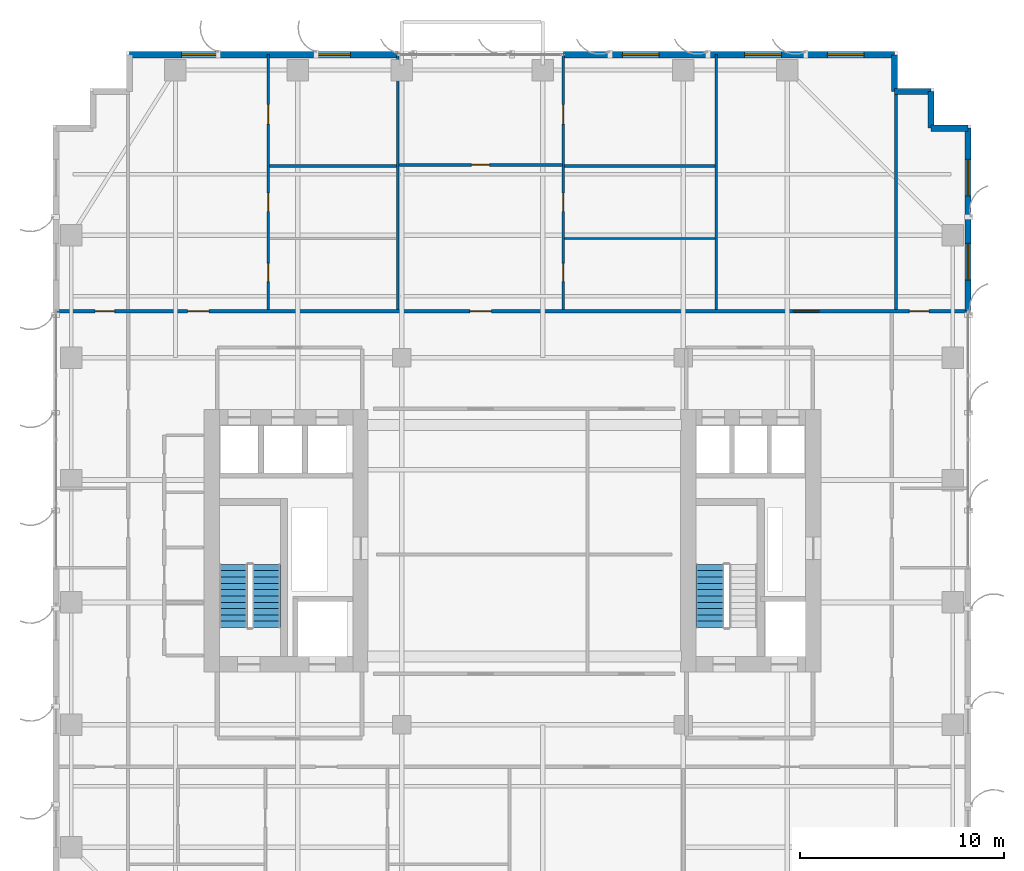
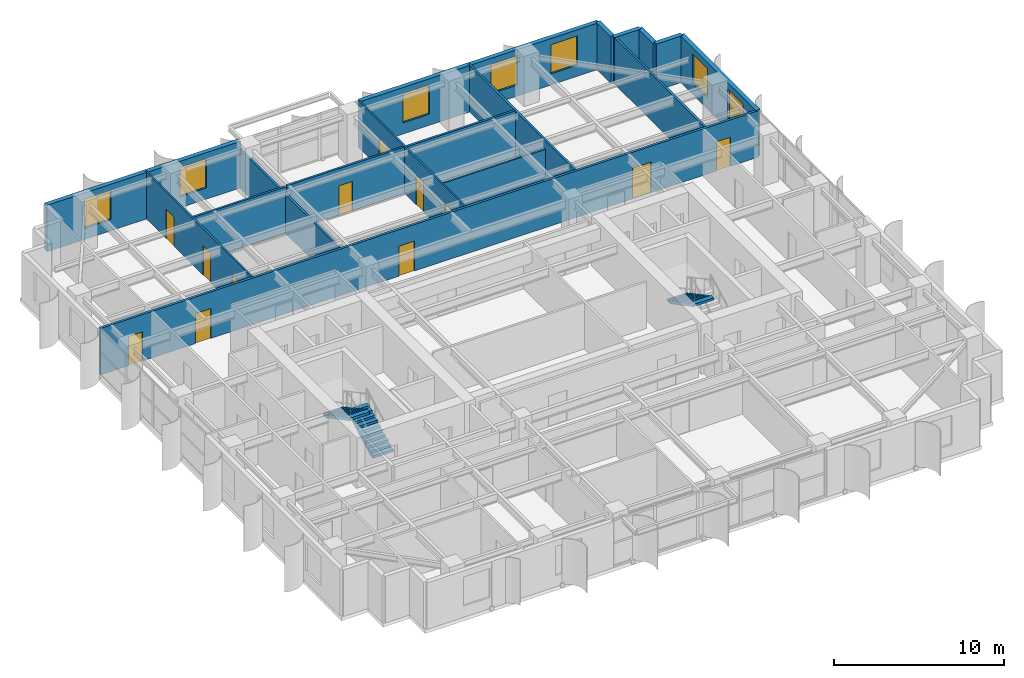
# One storey, part 19 of 23: 17 walls, 12 doors, 7 windows, 3 stair flights, 19 openings, 2 elements without a shape of their own.
"""IFC4 building model written with IfcOpenShell, lengths in metres."""

from ifc_helpers import new_model, si_unit, direction, frame, frame_2d, origin, place, context, subcontext, project, spatial, polyline, rectangle, outline, extrude, source, transform, mapped, material, layer, layer_set, type_object, element, fill, aggregate, save


model = new_model("IFC4")

# Units and contexts
model_context = context("Model", 3, precision=1e-05, world=origin(), true_north=direction((0.0, 1.0)))
body_context = subcontext(model_context, "Body", "Model", "MODEL_VIEW")
ifc_project = project(units=[si_unit("LENGTHUNIT", "METRE"), si_unit("AREAUNIT", "SQUARE_METRE"), si_unit("VOLUMEUNIT", "CUBIC_METRE"), si_unit("PLANEANGLEUNIT", "RADIAN"), si_unit("MASSUNIT", "GRAM", prefix="KILO")], contexts=[model_context])

# Site, building, storey
site_placement = place(None, origin())
site = spatial("IfcSite", under=ifc_project, at=site_placement, CompositionType="ELEMENT")
building_placement = place(site_placement, origin())
building = spatial("IfcBuilding", under=site, at=building_placement, Name="Khoralis Quay Care Tower", CompositionType="ELEMENT")
storey_placement = place(building_placement, frame((0.0, 0.0, 119.699951171875)))
storey = spatial("IfcBuildingStorey", under=building, at=storey_placement, Name="L31", CompositionType="ELEMENT", Elevation=119.699951171875)

# Wall, openings, doors
ifc_material_1 = material(Name="Gypsum plasterboard on acoustic metal stud")
ifc_layer_1 = layer(ifc_material_1, 0.1650390625)
ifc_layer_set_1 = layer_set([ifc_layer_1], Name="Gypsum plasterboard on acoustic metal stud")
wall_type_1 = type_object("IfcWallType", Name="WL-CORR-165", PredefinedType="PARTITIONING", material=ifc_layer_set_1)
wall_1_placement = place(storey_placement, frame((0.14501953125, 32.280029296875, 0.0), z_axis=(0.0, 0.0, 1.0), x_axis=(1.0, 0.0, 0.0)))
wall_1 = element("IfcWall", 1, at=wall_1_placement, inside=storey, type_object=wall_type_1, Name="L31 North Main Corridor Wall", PredefinedType="PARTITIONING", context=body_context, shape_type="SweptSolid", body=[
    extrude(rectangle(XDim=44.7099609375, YDim=0.1650390625, at=frame_2d((22.35498046875, 0.0))), origin(), (0.0, 0.0, 1.0), 3.340087890625),
])
opening_1_placement = place(wall_1_placement, frame((6.447021484375, 0.0, 0.0)))
opening_1 = element("IfcOpeningElement", 2, at=opening_1_placement, cuts=wall_1, Name="Opening UD1", PredefinedType="OPENING", context=body_context, shape_type="SweptSolid", body=[
    extrude(rectangle(XDim=1.050048828125, YDim=2.14990234375, at=frame_2d((0.52490234375, 1.074951171875))), frame((0.0, 0.092529296875, 0.0), z_axis=(0.0, -1.0, 0.0), x_axis=(1.0, 0.0, 0.0)), (0.0, 0.0, 1.0), 0.18505859375),
])
opening_2_placement = place(wall_1_placement, frame((20.28857421875, 0.0, 0.0)))
opening_2 = element("IfcOpeningElement", 3, at=opening_2_placement, cuts=wall_1, Name="Opening UD1", PredefinedType="OPENING", context=body_context, shape_type="SweptSolid", body=[
    extrude(rectangle(XDim=1.050048828125, YDim=2.14990234375, at=frame_2d((0.52490234375, 1.074951171875))), frame((0.0, 0.092529296875, 0.0), z_axis=(0.0, -1.0, 0.0), x_axis=(1.0, 0.0, 0.0)), (0.0, 0.0, 1.0), 0.18505859375),
])
opening_3_placement = place(wall_1_placement, frame((36.14501953125, 0.0, 0.0)))
opening_3 = element("IfcOpeningElement", 4, at=opening_3_placement, cuts=wall_1, Name="Opening CD1", PredefinedType="OPENING", context=body_context, shape_type="SweptSolid", body=[
    extrude(rectangle(XDim=1.25, YDim=2.199951171875, at=frame_2d((0.625, 1.10009765625))), frame((0.0, 0.092529296875, 0.0), z_axis=(0.0, -1.0, 0.0), x_axis=(1.0, 0.0, 0.0)), (0.0, 0.0, 1.0), 0.18505859375),
])
opening_4_placement = place(wall_1_placement, frame((1.919921875, 0.0, 0.0)))
opening_4 = element("IfcOpeningElement", 5, at=opening_4_placement, cuts=wall_1, Name="Opening ID1", PredefinedType="OPENING", context=body_context, shape_type="SweptSolid", body=[
    extrude(rectangle(XDim=0.949951171875, YDim=2.10009765625, at=frame_2d((0.47509765625, 1.050048828125))), frame((0.0, 0.092529296875, 0.0), z_axis=(0.0, -1.0, 0.0), x_axis=(1.0, 0.0, 0.0)), (0.0, 0.0, 1.0), 0.18505859375),
])
opening_5_placement = place(wall_1_placement, frame((41.840087890625, 0.0, 0.0)))
opening_5 = element("IfcOpeningElement", 6, at=opening_5_placement, cuts=wall_1, Name="Opening ID1", PredefinedType="OPENING", context=body_context, shape_type="SweptSolid", body=[
    extrude(rectangle(XDim=0.949951171875, YDim=2.10009765625, at=frame_2d((0.47509765625, 1.050048828125))), frame((0.0, 0.092529296875, 0.0), z_axis=(0.0, -1.0, 0.0), x_axis=(1.0, 0.0, 0.0)), (0.0, 0.0, 1.0), 0.18505859375),
])
ifc_material_2 = material(Name="Acoustic hardwood timber", Category="wood")
door_type_1 = type_object("IfcDoorType", Name="DR-CARE-1250X2200", OperationType="NOTDEFINED", PredefinedType="DOOR", material=ifc_material_2)
shared_shape_1 = source(origin(), body_context, "Body", "SweptSolid", [
    extrude(rectangle(XDim=1.25, YDim=2.199951171875, at=frame_2d((0.625, 1.10009765625))), frame((0.0, 0.02490234375, 0.0), z_axis=(0.0, -1.0, 0.0), x_axis=(1.0, 0.0, 0.0)), (0.0, 0.0, 1.0), 0.050048828125),
])
door_1_placement = place(opening_3_placement, origin())
door_1 = element("IfcDoor", 7, at=door_1_placement, inside=storey, type_object=door_type_1, Name="L31 Physiotherapy Treatment Clinic Door", OperationType="SINGLE_SWING_LEFT", OverallHeight=2.199951171875, OverallWidth=1.25, PredefinedType="DOOR", context=body_context, shape_type="MappedRepresentation", body=[
    mapped(shared_shape_1, transform((0.0, 0.0, 0.0), scale=1.0)),
])
fill(opening_3, door_1)
door_type_2 = type_object("IfcDoorType", Name="DR-ROOM-950X2100", OperationType="NOTDEFINED", PredefinedType="DOOR", material=ifc_material_2)
shared_shape_2 = source(origin(), body_context, "Body", "SweptSolid", [
    extrude(rectangle(XDim=0.949951171875, YDim=2.10009765625, at=frame_2d((0.47509765625, 1.050048828125))), frame((0.0, 0.02490234375, 0.0), z_axis=(0.0, -1.0, 0.0), x_axis=(1.0, 0.0, 0.0)), (0.0, 0.0, 1.0), 0.050048828125),
])
door_2_placement = place(opening_4_placement, origin())
door_2 = element("IfcDoor", 8, at=door_2_placement, inside=storey, type_object=door_type_2, Name="L31 NW Corner Door", OperationType="SINGLE_SWING_RIGHT", OverallHeight=2.10009765625, OverallWidth=0.949951171875, PredefinedType="DOOR", context=body_context, shape_type="MappedRepresentation", body=[
    mapped(shared_shape_2, transform((0.0, 0.0, 0.0), scale=1.0)),
])
fill(opening_4, door_2)
door_3_placement = place(opening_5_placement, origin())
door_3 = element("IfcDoor", 9, at=door_3_placement, inside=storey, type_object=door_type_2, Name="L31 NE Corner Door", OperationType="SINGLE_SWING_LEFT", OverallHeight=2.10009765625, OverallWidth=0.949951171875, PredefinedType="DOOR", context=body_context, shape_type="MappedRepresentation", body=[
    mapped(shared_shape_2, transform((0.0, 0.0, 0.0), scale=1.0)),
])
fill(opening_5, door_3)
door_type_3 = type_object("IfcDoorType", Name="DR-SUITE-1050X2150", OperationType="NOTDEFINED", PredefinedType="DOOR", material=ifc_material_2)
shared_shape_3 = source(origin(), body_context, "Body", "SweptSolid", [
    extrude(rectangle(XDim=1.050048828125, YDim=2.14990234375, at=frame_2d((0.52490234375, 1.074951171875))), frame((0.0, 0.02490234375, 0.0), z_axis=(0.0, -1.0, 0.0), x_axis=(1.0, 0.0, 0.0)), (0.0, 0.0, 1.0), 0.050048828125),
])
door_4_placement = place(opening_1_placement, origin())
door_4 = element("IfcDoor", 10, at=door_4_placement, inside=storey, type_object=door_type_3, Name="L31 Apartment NB0 Entrance Door", OperationType="SINGLE_SWING_LEFT", OverallHeight=2.14990234375, OverallWidth=1.050048828125, PredefinedType="DOOR", context=body_context, shape_type="MappedRepresentation", body=[
    mapped(shared_shape_3, transform((0.0, 0.0, 0.0), scale=1.0)),
])
fill(opening_1, door_4)
door_5_placement = place(opening_2_placement, origin())
door_5 = element("IfcDoor", 11, at=door_5_placement, inside=storey, type_object=door_type_3, Name="L31 Apartment NB1 Entrance Door", OperationType="SINGLE_SWING_RIGHT", OverallHeight=2.14990234375, OverallWidth=1.050048828125, PredefinedType="DOOR", context=body_context, shape_type="MappedRepresentation", body=[
    mapped(shared_shape_3, transform((0.0, 0.0, 0.0), scale=1.0)),
])
fill(opening_2, door_5)

# Wall, openings, windows
ifc_material_3 = material(Name="Precast concrete C45/55", Category="concrete")
ifc_layer_2 = layer(ifc_material_3, 0.300048828125)
ifc_layer_set_2 = layer_set([ifc_layer_2], Name="Precast concrete C45/55")
wall_type_2 = type_object("IfcWallType", Name="WL-EXT-REF-300", PredefinedType="SOLIDWALL", material=ifc_layer_set_2)
wall_2_placement = place(storey_placement, frame((44.85009765625, 32.280029296875, 0.0), z_axis=(0.0, 0.0, 1.0), x_axis=(0.0, 1.0, 0.0)))
wall_2 = element("IfcWall", 12, at=wall_2_placement, inside=storey, type_object=wall_type_2, Name="L31 External Facade Wall WL-EXT-L31-P1-E5B", PredefinedType="SOLIDWALL", context=body_context, shape_type="SweptSolid", body=[
    extrude(rectangle(XDim=8.969970703125, YDim=0.300048828125, at=frame_2d((4.48486328125, 0.0))), origin(), (0.0, 0.0, 1.0), 3.340087890625),
])
opening_6_placement = place(wall_2_placement, frame((1.5224609375, 0.0, 0.800048828125)))
opening_6 = element("IfcOpeningElement", 13, at=opening_6_placement, cuts=wall_2, Name="Opening W2", PredefinedType="OPENING", context=body_context, shape_type="SweptSolid", body=[
    extrude(rectangle(XDim=1.800048828125, YDim=2.10009765625, at=frame_2d((0.89990234375, 1.050048828125))), frame((0.0, 0.16015625, 0.0), z_axis=(0.0, -1.0, 0.0), x_axis=(1.0, 0.0, 0.0)), (0.0, 0.0, 1.0), 0.320068359375),
])
opening_7_placement = place(wall_2_placement, frame((5.6474609375, 0.0, 0.800048828125)))
opening_7 = element("IfcOpeningElement", 14, at=opening_7_placement, cuts=wall_2, Name="Opening W2", PredefinedType="OPENING", context=body_context, shape_type="SweptSolid", body=[
    extrude(rectangle(XDim=1.800048828125, YDim=2.10009765625, at=frame_2d((0.89990234375, 1.050048828125))), frame((0.0, 0.16015625, 0.0), z_axis=(0.0, -1.0, 0.0), x_axis=(1.0, 0.0, 0.0)), (0.0, 0.0, 1.0), 0.320068359375),
])
ifc_material_4 = material(Name="Low-E solar-control double glazing", Category="glass")
window_type = type_object("IfcWindowType", Name="WN-POD-1800X2100", PartitioningType="SINGLE_PANEL", PredefinedType="WINDOW", material=ifc_material_4)
shared_shape_4 = source(origin(), body_context, "Body", "SweptSolid", [
    extrude(rectangle(XDim=1.800048828125, YDim=2.10009765625, at=frame_2d((0.89990234375, 1.050048828125))), frame((0.0, 0.030029296875, 0.0), z_axis=(0.0, -1.0, 0.0), x_axis=(1.0, 0.0, 0.0)), (0.0, 0.0, 1.0), 0.06005859375),
])
window_1_placement = place(opening_6_placement, origin())
window_1 = element("IfcWindow", 15, at=window_1_placement, inside=storey, type_object=window_type, Name="WN-L31-P1-E5B Facade Window 01", OverallHeight=2.10009765625, OverallWidth=1.800048828125, PartitioningType="SINGLE_PANEL", PredefinedType="WINDOW", context=body_context, shape_type="MappedRepresentation", body=[
    mapped(shared_shape_4, transform((0.0, 0.0, 0.0), scale=1.0)),
])
fill(opening_6, window_1)
window_2_placement = place(opening_7_placement, origin())
window_2 = element("IfcWindow", 16, at=window_2_placement, inside=storey, type_object=window_type, Name="WN-L31-P1-E5B Facade Window 02", OverallHeight=2.10009765625, OverallWidth=1.800048828125, PartitioningType="SINGLE_PANEL", PredefinedType="WINDOW", context=body_context, shape_type="MappedRepresentation", body=[
    mapped(shared_shape_4, transform((0.0, 0.0, 0.0), scale=1.0)),
])
fill(opening_7, window_2)

# Walls
for number, where, z_axis, x_axis, name in (
    (17, (44.85009765625, 41.25, 0.0), (0.0, 0.0, 1.0), (-1.0, 0.0, 0.0), "L31 External Facade Wall WL-EXT-L31-P1-C6"),
    (18, (43.050048828125, 41.25, 0.0), (0.0, 0.0, 1.0), (0.0, 1.0, 0.0), "L31 External Facade Wall WL-EXT-L31-P1-C7"),
    (19, (43.050048828125, 43.050048828125, 0.0), (0.0, 0.0, 1.0), (-1.0, 0.0, 0.0), "L31 External Facade Wall WL-EXT-L31-P1-C8"),
    (20, (41.25, 43.050048828125, 0.0), (0.0, 0.0, 1.0), (0.0, 1.0, 0.0), "L31 External Facade Wall WL-EXT-L31-P1-C9"),
):
    element("IfcWall", number, at=place(storey_placement, frame(where, z_axis=z_axis, x_axis=x_axis)), inside=storey, type_object=wall_type_2, Name=name, PredefinedType="SOLIDWALL", context=body_context, shape_type="SweptSolid", body=[
        extrude(rectangle(XDim=1.800048828125, YDim=0.300048828125, at=frame_2d((0.89990234375, 0.0))), origin(), (0.0, 0.0, 1.0), 3.340087890625),
    ])

# Wall, openings, windows
wall_3_placement = place(storey_placement, frame((41.25, 44.85009765625, 0.0), z_axis=(0.0, 0.0, 1.0), x_axis=(-1.0, 0.0, 0.0)))
wall_3 = element("IfcWall", 21, at=wall_3_placement, inside=storey, type_object=wall_type_2, Name="L31 External Facade Wall WL-EXT-L31-P1-E10A", PredefinedType="SOLIDWALL", context=body_context, shape_type="SweptSolid", body=[
    extrude(rectangle(XDim=16.23291015625, YDim=0.300048828125, at=frame_2d((8.116455078125, 0.0))), origin(), (0.0, 0.0, 1.0), 3.340087890625),
])
opening_8_placement = place(wall_3_placement, frame((1.489990234375, 0.0, 0.800048828125)))
opening_8 = element("IfcOpeningElement", 22, at=opening_8_placement, cuts=wall_3, Name="Opening W2", PredefinedType="OPENING", context=body_context, shape_type="SweptSolid", body=[
    extrude(rectangle(XDim=1.800048828125, YDim=2.10009765625, at=frame_2d((0.89990234375, 1.050048828125))), frame((0.0, 0.16015625, 0.0), z_axis=(0.0, -1.0, 0.0), x_axis=(1.0, 0.0, 0.0)), (0.0, 0.0, 1.0), 0.320068359375),
])
opening_9_placement = place(wall_3_placement, frame((5.550048828125, 0.0, 0.800048828125)))
opening_9 = element("IfcOpeningElement", 23, at=opening_9_placement, cuts=wall_3, Name="Opening W2", PredefinedType="OPENING", context=body_context, shape_type="SweptSolid", body=[
    extrude(rectangle(XDim=1.800048828125, YDim=2.10009765625, at=frame_2d((0.89990234375, 1.050048828125))), frame((0.0, 0.16015625, 0.0), z_axis=(0.0, -1.0, 0.0), x_axis=(1.0, 0.0, 0.0)), (0.0, 0.0, 1.0), 0.320068359375),
])
opening_10_placement = place(wall_3_placement, frame((11.53662109375, 0.0, 0.800048828125)))
opening_10 = element("IfcOpeningElement", 24, at=opening_10_placement, cuts=wall_3, Name="Opening W2", PredefinedType="OPENING", context=body_context, shape_type="SweptSolid", body=[
    extrude(rectangle(XDim=1.800048828125, YDim=2.10009765625, at=frame_2d((0.89990234375, 1.050048828125))), frame((0.0, 0.16015625, 0.0), z_axis=(0.0, -1.0, 0.0), x_axis=(1.0, 0.0, 0.0)), (0.0, 0.0, 1.0), 0.320068359375),
])
window_3_placement = place(opening_8_placement, origin())
window_3 = element("IfcWindow", 25, at=window_3_placement, inside=storey, type_object=window_type, Name="WN-L31-P1-E10A Facade Window 01", OverallHeight=2.10009765625, OverallWidth=1.800048828125, PartitioningType="SINGLE_PANEL", PredefinedType="WINDOW", context=body_context, shape_type="MappedRepresentation", body=[
    mapped(shared_shape_4, transform((0.0, 0.0, 0.0), scale=1.0)),
])
fill(opening_8, window_3)
window_4_placement = place(opening_9_placement, origin())
window_4 = element("IfcWindow", 26, at=window_4_placement, inside=storey, type_object=window_type, Name="WN-L31-P1-E10A Facade Window 02", OverallHeight=2.10009765625, OverallWidth=1.800048828125, PartitioningType="SINGLE_PANEL", PredefinedType="WINDOW", context=body_context, shape_type="MappedRepresentation", body=[
    mapped(shared_shape_4, transform((0.0, 0.0, 0.0), scale=1.0)),
])
fill(opening_9, window_4)
window_5_placement = place(opening_10_placement, origin())
window_5 = element("IfcWindow", 27, at=window_5_placement, inside=storey, type_object=window_type, Name="WN-L31-P1-E10A Facade Window 03", OverallHeight=2.10009765625, OverallWidth=1.800048828125, PartitioningType="SINGLE_PANEL", PredefinedType="WINDOW", context=body_context, shape_type="MappedRepresentation", body=[
    mapped(shared_shape_4, transform((0.0, 0.0, 0.0), scale=1.0)),
])
fill(opening_10, window_5)

wall_4_placement = place(storey_placement, frame((16.89990234375, 44.85009765625, 0.0), z_axis=(0.0, 0.0, 1.0), x_axis=(-1.0, 0.0, 0.0)))
wall_4 = element("IfcWall", 28, at=wall_4_placement, inside=storey, type_object=wall_type_2, Name="L31 External Facade Wall WL-EXT-L31-P1-E10B", PredefinedType="SOLIDWALL", context=body_context, shape_type="SweptSolid", body=[
    extrude(rectangle(XDim=13.14990234375, YDim=0.300048828125, at=frame_2d((6.574951171875, 0.0))), origin(), (0.0, 0.0, 1.0), 3.340087890625),
])
opening_11_placement = place(wall_4_placement, frame((2.322998046875, 0.0, 0.800048828125)))
opening_11 = element("IfcOpeningElement", 29, at=opening_11_placement, cuts=wall_4, Name="Opening W2", PredefinedType="OPENING", context=body_context, shape_type="SweptSolid", body=[
    extrude(rectangle(XDim=1.800048828125, YDim=2.10009765625, at=frame_2d((0.89990234375, 1.050048828125))), frame((0.0, 0.16015625, 0.0), z_axis=(0.0, -1.0, 0.0), x_axis=(1.0, 0.0, 0.0)), (0.0, 0.0, 1.0), 0.320068359375),
])
opening_12_placement = place(wall_4_placement, frame((8.798095703125, 0.0, 0.800048828125)))
opening_12 = element("IfcOpeningElement", 30, at=opening_12_placement, cuts=wall_4, Name="Opening W2", PredefinedType="OPENING", context=body_context, shape_type="SweptSolid", body=[
    extrude(rectangle(XDim=1.800048828125, YDim=2.10009765625, at=frame_2d((0.89990234375, 1.050048828125))), frame((0.0, 0.16015625, 0.0), z_axis=(0.0, -1.0, 0.0), x_axis=(1.0, 0.0, 0.0)), (0.0, 0.0, 1.0), 0.320068359375),
])
window_6_placement = place(opening_11_placement, origin())
window_6 = element("IfcWindow", 31, at=window_6_placement, inside=storey, type_object=window_type, Name="WN-L31-P1-E10B Facade Window 01", OverallHeight=2.10009765625, OverallWidth=1.800048828125, PartitioningType="SINGLE_PANEL", PredefinedType="WINDOW", context=body_context, shape_type="MappedRepresentation", body=[
    mapped(shared_shape_4, transform((0.0, 0.0, 0.0), scale=1.0)),
])
fill(opening_11, window_6)
window_7_placement = place(opening_12_placement, origin())
window_7 = element("IfcWindow", 32, at=window_7_placement, inside=storey, type_object=window_type, Name="WN-L31-P1-E10B Facade Window 02", OverallHeight=2.10009765625, OverallWidth=1.800048828125, PartitioningType="SINGLE_PANEL", PredefinedType="WINDOW", context=body_context, shape_type="MappedRepresentation", body=[
    mapped(shared_shape_4, transform((0.0, 0.0, 0.0), scale=1.0)),
])
fill(opening_12, window_7)

# Wall, openings, doors
ifc_layer_3 = layer(ifc_material_1, 0.114990234375)
ifc_layer_set_3 = layer_set([ifc_layer_3], Name="Gypsum plasterboard on acoustic metal stud")
wall_type_3 = type_object("IfcWallType", Name="WL-PART-115", PredefinedType="PARTITIONING", material=ifc_layer_set_3)
wall_5_placement = place(storey_placement, frame((10.553955078125, 32.357421875, 0.0), z_axis=(0.0, 0.0, 1.0), x_axis=(0.0, 1.0, 0.0)))
wall_5 = element("IfcWall", 33, at=wall_5_placement, inside=storey, type_object=wall_type_3, Name="L31 Unit 0 Internal Wall", PredefinedType="PARTITIONING", context=body_context, shape_type="SweptSolid", body=[
    extrude(rectangle(XDim=12.49755859375, YDim=0.114990234375, at=frame_2d((6.248779296875, 0.0))), origin(), (0.0, 0.0, 1.0), 3.340087890625),
])
opening_13_placement = place(wall_5_placement, frame((9.093994140625, 0.0, 0.0)))
opening_13 = element("IfcOpeningElement", 34, at=opening_13_placement, cuts=wall_5, Name="Opening ID1", PredefinedType="OPENING", context=body_context, shape_type="SweptSolid", body=[
    extrude(rectangle(XDim=0.949951171875, YDim=2.10009765625, at=frame_2d((0.47509765625, 1.050048828125))), frame((0.0, 0.0673828125, 0.0), z_axis=(0.0, -1.0, 0.0), x_axis=(1.0, 0.0, 0.0)), (0.0, 0.0, 1.0), 0.135009765625),
])
opening_14_placement = place(wall_5_placement, frame((4.814453125, 0.0, 0.0)))
opening_14 = element("IfcOpeningElement", 35, at=opening_14_placement, cuts=wall_5, Name="Opening WD1", PredefinedType="OPENING", context=body_context, shape_type="SweptSolid", body=[
    extrude(rectangle(XDim=0.89990234375, YDim=2.10009765625, at=frame_2d((0.449951171875, 1.050048828125))), frame((0.0, 0.0673828125, 0.0), z_axis=(0.0, -1.0, 0.0), x_axis=(1.0, 0.0, 0.0)), (0.0, 0.0, 1.0), 0.135009765625),
])
opening_15_placement = place(wall_5_placement, frame((1.367919921875, 0.0, 0.0)))
opening_15 = element("IfcOpeningElement", 36, at=opening_15_placement, cuts=wall_5, Name="Opening WD1", PredefinedType="OPENING", context=body_context, shape_type="SweptSolid", body=[
    extrude(rectangle(XDim=0.89990234375, YDim=2.10009765625, at=frame_2d((0.449951171875, 1.050048828125))), frame((0.0, 0.0673828125, 0.0), z_axis=(0.0, -1.0, 0.0), x_axis=(1.0, 0.0, 0.0)), (0.0, 0.0, 1.0), 0.135009765625),
])
door_type_4 = type_object("IfcDoorType", Name="DR-BATH-900X2100", OperationType="NOTDEFINED", PredefinedType="DOOR", material=ifc_material_2)
shared_shape_5 = source(origin(), body_context, "Body", "SweptSolid", [
    extrude(rectangle(XDim=0.89990234375, YDim=2.10009765625, at=frame_2d((0.449951171875, 1.050048828125))), frame((0.0, 0.02490234375, 0.0), z_axis=(0.0, -1.0, 0.0), x_axis=(1.0, 0.0, 0.0)), (0.0, 0.0, 1.0), 0.050048828125),
])
door_6_placement = place(opening_14_placement, frame((0.89990234375, 0.0, 0.0), z_axis=(0.0, 0.0, 1.0), x_axis=(-1.0, 0.0, 0.0)))
door_6 = element("IfcDoor", 37, at=door_6_placement, inside=storey, type_object=door_type_4, Name="L31 Apartment NB0 KIT Door", OperationType="SINGLE_SWING_LEFT", OverallHeight=2.10009765625, OverallWidth=0.89990234375, PredefinedType="DOOR", context=body_context, shape_type="MappedRepresentation", body=[
    mapped(shared_shape_5, transform((0.0, 0.0, 0.0), scale=1.0)),
])
fill(opening_14, door_6)
door_7_placement = place(opening_15_placement, frame((0.89990234375, 0.0, 0.0), z_axis=(0.0, 0.0, 1.0), x_axis=(-1.0, 0.0, 0.0)))
door_7 = element("IfcDoor", 38, at=door_7_placement, inside=storey, type_object=door_type_4, Name="L31 Apartment NB0 BTH Door", OperationType="SINGLE_SWING_RIGHT", OverallHeight=2.10009765625, OverallWidth=0.89990234375, PredefinedType="DOOR", context=body_context, shape_type="MappedRepresentation", body=[
    mapped(shared_shape_5, transform((0.0, 0.0, 0.0), scale=1.0)),
])
fill(opening_15, door_7)
door_8_placement = place(opening_13_placement, frame((0.949951171875, 0.0, 0.0), z_axis=(0.0, 0.0, 1.0), x_axis=(-1.0, 0.0, 0.0)))
door_8 = element("IfcDoor", 39, at=door_8_placement, inside=storey, type_object=door_type_2, Name="L31 Apartment NB0 BED Door", OperationType="SINGLE_SWING_RIGHT", OverallHeight=2.10009765625, OverallWidth=0.949951171875, PredefinedType="DOOR", context=body_context, shape_type="MappedRepresentation", body=[
    mapped(shared_shape_2, transform((0.0, 0.0, 0.0), scale=1.0)),
])
fill(opening_13, door_8)

wall_6_placement = place(storey_placement, frame((25.01708984375, 32.357421875, 0.0), z_axis=(0.0, 0.0, 1.0), x_axis=(0.0, 1.0, 0.0)))
wall_6 = element("IfcWall", 40, at=wall_6_placement, inside=storey, type_object=wall_type_3, Name="L31 Unit 1 Internal Wall", PredefinedType="PARTITIONING", context=body_context, shape_type="SweptSolid", body=[
    extrude(rectangle(XDim=12.49755859375, YDim=0.114990234375, at=frame_2d((6.248779296875, 0.0))), origin(), (0.0, 0.0, 1.0), 3.340087890625),
])
opening_16_placement = place(wall_6_placement, frame((9.093994140625, 0.0, 0.0)))
opening_16 = element("IfcOpeningElement", 41, at=opening_16_placement, cuts=wall_6, Name="Opening ID1", PredefinedType="OPENING", context=body_context, shape_type="SweptSolid", body=[
    extrude(rectangle(XDim=0.949951171875, YDim=2.10009765625, at=frame_2d((0.47509765625, 1.050048828125))), frame((0.0, 0.0673828125, 0.0), z_axis=(0.0, -1.0, 0.0), x_axis=(1.0, 0.0, 0.0)), (0.0, 0.0, 1.0), 0.135009765625),
])
opening_17_placement = place(wall_6_placement, frame((4.814453125, 0.0, 0.0)))
opening_17 = element("IfcOpeningElement", 42, at=opening_17_placement, cuts=wall_6, Name="Opening WD1", PredefinedType="OPENING", context=body_context, shape_type="SweptSolid", body=[
    extrude(rectangle(XDim=0.89990234375, YDim=2.10009765625, at=frame_2d((0.449951171875, 1.050048828125))), frame((0.0, 0.0673828125, 0.0), z_axis=(0.0, -1.0, 0.0), x_axis=(1.0, 0.0, 0.0)), (0.0, 0.0, 1.0), 0.135009765625),
])
opening_18_placement = place(wall_6_placement, frame((1.367919921875, 0.0, 0.0)))
opening_18 = element("IfcOpeningElement", 43, at=opening_18_placement, cuts=wall_6, Name="Opening WD1", PredefinedType="OPENING", context=body_context, shape_type="SweptSolid", body=[
    extrude(rectangle(XDim=0.89990234375, YDim=2.10009765625, at=frame_2d((0.449951171875, 1.050048828125))), frame((0.0, 0.0673828125, 0.0), z_axis=(0.0, -1.0, 0.0), x_axis=(1.0, 0.0, 0.0)), (0.0, 0.0, 1.0), 0.135009765625),
])
door_9_placement = place(opening_17_placement, frame((0.89990234375, 0.0, 0.0), z_axis=(0.0, 0.0, 1.0), x_axis=(-1.0, 0.0, 0.0)))
door_9 = element("IfcDoor", 44, at=door_9_placement, inside=storey, type_object=door_type_4, Name="L31 Apartment NB1 KIT Door", OperationType="SINGLE_SWING_RIGHT", OverallHeight=2.10009765625, OverallWidth=0.89990234375, PredefinedType="DOOR", context=body_context, shape_type="MappedRepresentation", body=[
    mapped(shared_shape_5, transform((0.0, 0.0, 0.0), scale=1.0)),
])
fill(opening_17, door_9)
door_10_placement = place(opening_18_placement, frame((0.89990234375, 0.0, 0.0), z_axis=(0.0, 0.0, 1.0), x_axis=(-1.0, 0.0, 0.0)))
door_10 = element("IfcDoor", 45, at=door_10_placement, inside=storey, type_object=door_type_4, Name="L31 Apartment NB1 BTH Door", OperationType="SINGLE_SWING_LEFT", OverallHeight=2.10009765625, OverallWidth=0.89990234375, PredefinedType="DOOR", context=body_context, shape_type="MappedRepresentation", body=[
    mapped(shared_shape_5, transform((0.0, 0.0, 0.0), scale=1.0)),
])
fill(opening_18, door_10)
door_11_placement = place(opening_16_placement, frame((0.949951171875, 0.0, 0.0), z_axis=(0.0, 0.0, 1.0), x_axis=(-1.0, 0.0, 0.0)))
door_11 = element("IfcDoor", 46, at=door_11_placement, inside=storey, type_object=door_type_2, Name="L31 Apartment NB1 BED Door", OperationType="SINGLE_SWING_LEFT", OverallHeight=2.10009765625, OverallWidth=0.949951171875, PredefinedType="DOOR", context=body_context, shape_type="MappedRepresentation", body=[
    mapped(shared_shape_2, transform((0.0, 0.0, 0.0), scale=1.0)),
])
fill(opening_16, door_11)

# Walls
wall_7_placement = place(storey_placement, frame((25.069580078125, 35.841064453125, 0.0), z_axis=(0.0, 0.0, 1.0), x_axis=(1.0, 0.0, 0.0)))
element("IfcWall", 47, at=wall_7_placement, inside=storey, type_object=wall_type_3, Name="L31 Unit 1 Kitchen Wall", PredefinedType="PARTITIONING", context=body_context, shape_type="SweptSolid", body=[
    extrude(rectangle(XDim=7.37548828125, YDim=0.114990234375, at=frame_2d((3.687744140625, 0.0))), origin(), (0.0, 0.0, 1.0), 2.72314453125),
])
ifc_material_5 = material(Name="Moisture-resistant gypsum and ceramic tile")
ifc_layer_4 = layer(ifc_material_5, 0.280029296875)
ifc_layer_set_4 = layer_set([ifc_layer_4], Name="Moisture-resistant gypsum and ceramic tile")
wall_type_4 = type_object("IfcWallType", Name="WL-PLUMB-280", PredefinedType="PLUMBINGWALL", material=ifc_layer_set_4)
wall_8_placement = place(storey_placement, frame((10.6064453125, 39.403076171875, 0.0), z_axis=(0.0, 0.0, 1.0), x_axis=(1.0, 0.0, 0.0)))
element("IfcWall", 48, at=wall_8_placement, inside=storey, type_object=wall_type_4, Name="L31 Unit 0 Wet Wall", PredefinedType="PLUMBINGWALL", context=body_context, shape_type="SweptSolid", body=[
    extrude(rectangle(XDim=6.228515625, YDim=0.139892578125, at=frame_2d((3.1142578125, 0.0))), origin(), (0.0, 0.0, 1.0), 3.340087890625),
])
wall_9_placement = place(storey_placement, frame((25.069580078125, 39.403076171875, 0.0), z_axis=(0.0, 0.0, 1.0), x_axis=(1.0, 0.0, 0.0)))
element("IfcWall", 49, at=wall_9_placement, inside=storey, type_object=wall_type_4, Name="L31 Unit 1 Wet Wall", PredefinedType="PLUMBINGWALL", context=body_context, shape_type="SweptSolid", body=[
    extrude(rectangle(XDim=7.37548828125, YDim=0.139892578125, at=frame_2d((3.687744140625, 0.0))), origin(), (0.0, 0.0, 1.0), 3.340087890625),
])
ifc_layer_5 = layer(ifc_material_1, 0.139892578125)
ifc_layer_set_5 = layer_set([ifc_layer_5], Name="Gypsum plasterboard on acoustic metal stud")
wall_type_5 = type_object("IfcWallType", Name="WL-UNIT-140", PredefinedType="PARTITIONING", material=ifc_layer_set_5)
wall_10_placement = place(storey_placement, frame((16.89990234375, 32.357421875, 0.0), z_axis=(0.0, 0.0, 1.0), x_axis=(0.0, 1.0, 0.0)))
element("IfcWall", 50, at=wall_10_placement, inside=storey, type_object=wall_type_5, Name="L31 NB Demising Wall 1", PredefinedType="PARTITIONING", context=body_context, shape_type="SweptSolid", body=[
    extrude(rectangle(XDim=12.49755859375, YDim=0.139892578125, at=frame_2d((6.248779296875, 0.0))), origin(), (0.0, 0.0, 1.0), 2.796142578125),
])
wall_11_placement = place(storey_placement, frame((32.510009765625, 32.357421875, 0.0), z_axis=(0.0, 0.0, 1.0), x_axis=(0.0, 1.0, 0.0)))
element("IfcWall", 51, at=wall_11_placement, inside=storey, type_object=wall_type_5, Name="L31 NB Demising Wall 2", PredefinedType="PARTITIONING", context=body_context, shape_type="SweptSolid", body=[
    extrude(rectangle(XDim=12.49755859375, YDim=0.139892578125, at=frame_2d((6.248779296875, 0.0))), origin(), (0.0, 0.0, 1.0), 3.340087890625),
])
wall_12_placement = place(storey_placement, frame((41.320068359375, 32.357421875, 0.0), z_axis=(0.0, 0.0, 1.0), x_axis=(0.0, 1.0, 0.0)))
element("IfcWall", 52, at=wall_12_placement, inside=storey, type_object=wall_type_5, Name="L31 NB Demising Wall 3", PredefinedType="PARTITIONING", context=body_context, shape_type="SweptSolid", body=[
    extrude(rectangle(XDim=10.697509765625, YDim=0.139892578125, at=frame_2d((5.3486328125, 0.0))), origin(), (0.0, 0.0, 1.0), 3.340087890625),
])

# Wall, opening, door
wall_13_placement = place(storey_placement, frame((16.965087890625, 39.449951171875, 0.0), z_axis=(0.0, 0.0, 1.0), x_axis=(1.0, 0.0, 0.0)))
wall_13 = element("IfcWall", 53, at=wall_13_placement, inside=storey, type_object=wall_type_5, Name="Assisted Apartment Living Room L31-NB1 Sub-Partition", PredefinedType="PARTITIONING", context=body_context, shape_type="SweptSolid", body=[
    extrude(rectangle(XDim=7.99951171875, YDim=0.139892578125, at=frame_2d((3.999755859375, 0.0))), origin(), (0.0, 0.0, 1.0), 3.340087890625),
])
opening_19_placement = place(wall_13_placement, frame((3.54345703125, 0.0, 0.0)))
opening_19 = element("IfcOpeningElement", 54, at=opening_19_placement, cuts=wall_13, Name="Opening WD1", PredefinedType="OPENING", context=body_context, shape_type="SweptSolid", body=[
    extrude(rectangle(XDim=0.89990234375, YDim=2.10009765625, at=frame_2d((0.449951171875, 1.050048828125))), frame((0.0, 0.080078125, 0.0), z_axis=(0.0, -1.0, 0.0), x_axis=(1.0, 0.0, 0.0)), (0.0, 0.0, 1.0), 0.159912109375),
])
door_12_placement = place(opening_19_placement, frame((0.89990234375, 0.0, 0.0), z_axis=(0.0, 0.0, 1.0), x_axis=(-1.0, 0.0, 0.0)))
door_12 = element("IfcDoor", 55, at=door_12_placement, inside=storey, type_object=door_type_4, Name="Daylight Sunroom Lounge LIV1 Door", OperationType="SINGLE_SWING_LEFT", OverallHeight=2.10009765625, OverallWidth=0.89990234375, PredefinedType="DOOR", context=body_context, shape_type="MappedRepresentation", body=[
    mapped(shared_shape_5, transform((0.0, 0.0, 0.0), scale=1.0)),
])
fill(opening_19, door_12)

# Stair, stair flights
stair_type = type_object("IfcStairType", Name="ST-TWR-DOGLEG-1400", PredefinedType="HALF_TURN_STAIR", material=ifc_material_3)
stair_1_placement = place(storey_placement, origin())
stair_1 = element("IfcStair", 56, at=stair_1_placement, inside=storey, type_object=stair_type, Name="L31 West Core Exit Stair ST-T1", PredefinedType="HALF_TURN_STAIR")
stair_flight_type = type_object("IfcStairFlightType", Name="SF-TWR-1400", PredefinedType="STRAIGHT", material=ifc_material_3)
shared_shape_6 = source(origin(), body_context, "Body", "SweptSolid", [
    extrude(outline(polyline([(0.0, 0.0), (0.0, 0.16357421875), (0.31005859375, 0.16357421875), (0.31005859375, 0.327392578125), (0.6201171875, 0.327392578125), (0.6201171875, 0.490966796875), (0.929931640625, 0.490966796875), (0.929931640625, 0.654541015625), (1.239990234375, 0.654541015625), (1.239990234375, 0.818115234375), (1.550048828125, 0.818115234375), (1.550048828125, 0.98193359375), (1.860107421875, 0.98193359375), (1.860107421875, 1.1455078125), (2.169921875, 1.1455078125), (2.169921875, 1.30908203125), (2.47998046875, 1.30908203125), (2.47998046875, 1.47265625), (2.7900390625, 1.47265625), (2.7900390625, 1.636474609375), (3.10009765625, 1.636474609375), (3.10009765625, 1.800048828125), (3.10009765625, 1.466796875), (0.321044921875, 0.0), (0.0, 0.0)])), frame((0.0, 0.68994140625, 0.0), z_axis=(0.0, -1.0, 0.0), x_axis=(1.0, 0.0, 0.0)), (0.0, 0.0, 1.0), 1.3798828125),
])
stair_flight_1_placement = place(storey_placement, frame((10.4599609375, 16.77001953125, 0.0), z_axis=(0.0, 0.0, 1.0), x_axis=(0.0, 1.0, 0.0)))
stair_flight_1 = element("IfcStairFlight", 57, at=stair_flight_1_placement, type_object=stair_flight_type, Name="ST-T1 flight 1", NumberOfRisers=11, NumberOfTreads=10, PredefinedType="STRAIGHT", RiserHeight=0.163636364, TreadLength=0.31, context=body_context, shape_type="MappedRepresentation", body=[
    mapped(shared_shape_6, transform((0.0, 0.0, 0.0), scale=1.0)),
])
stair_flight_2_placement = place(storey_placement, frame((8.840087890625, 19.8701171875, 1.800048828125), z_axis=(0.0, 0.0, 1.0), x_axis=(0.0, -1.0, 0.0)))
stair_flight_2 = element("IfcStairFlight", 58, at=stair_flight_2_placement, type_object=stair_flight_type, Name="ST-T1 flight 2", NumberOfRisers=11, NumberOfTreads=10, PredefinedType="STRAIGHT", RiserHeight=0.163636364, TreadLength=0.31, context=body_context, shape_type="MappedRepresentation", body=[
    mapped(shared_shape_6, transform((0.0, 0.0, 0.0), scale=1.0)),
])
aggregate(stair_1, [stair_flight_1, stair_flight_2])

# Stair, stair flight
stair_2_placement = place(storey_placement, origin())
stair_2 = element("IfcStair", 59, at=stair_2_placement, inside=storey, type_object=stair_type, Name="L31 East Core Exit Stair ST-T2", PredefinedType="HALF_TURN_STAIR")
stair_flight_3_placement = place(storey_placement, frame((32.2099609375, 19.8701171875, 1.800048828125), z_axis=(0.0, 0.0, 1.0), x_axis=(0.0, -1.0, 0.0)))
stair_flight_3 = element("IfcStairFlight", 60, at=stair_flight_3_placement, type_object=stair_flight_type, Name="ST-T2 flight 2", NumberOfRisers=11, NumberOfTreads=10, PredefinedType="STRAIGHT", RiserHeight=0.163636364, TreadLength=0.31, context=body_context, shape_type="MappedRepresentation", body=[
    mapped(shared_shape_6, transform((0.0, 0.0, 0.0), scale=1.0)),
])
aggregate(stair_2, [stair_flight_3])

save(model, "model.ifc")
